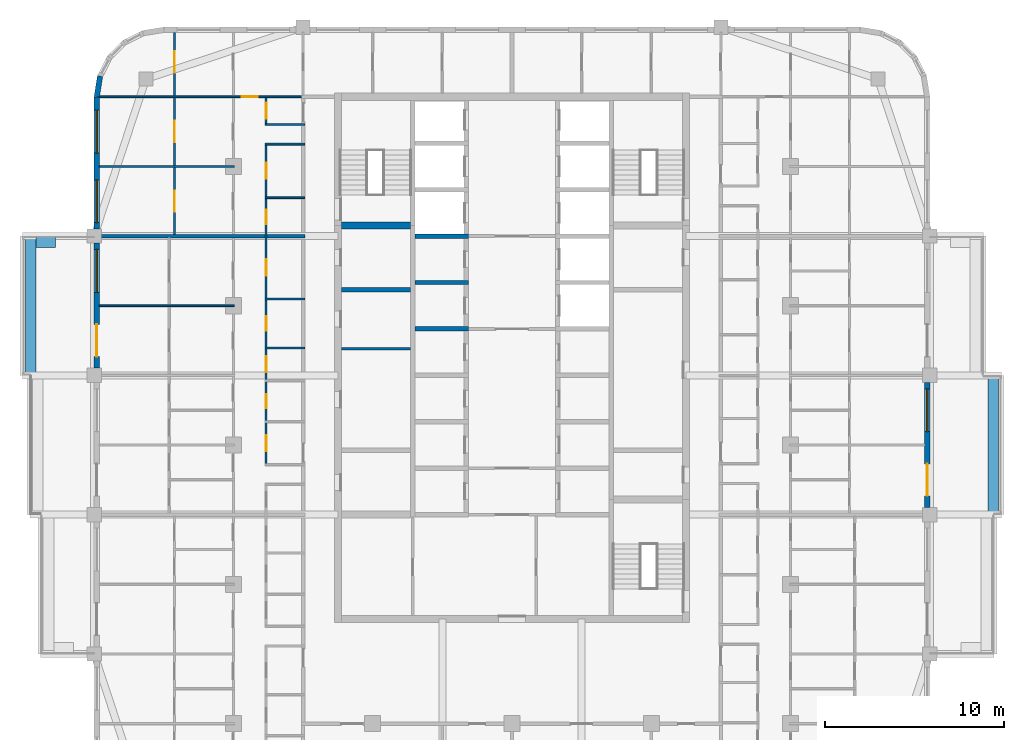
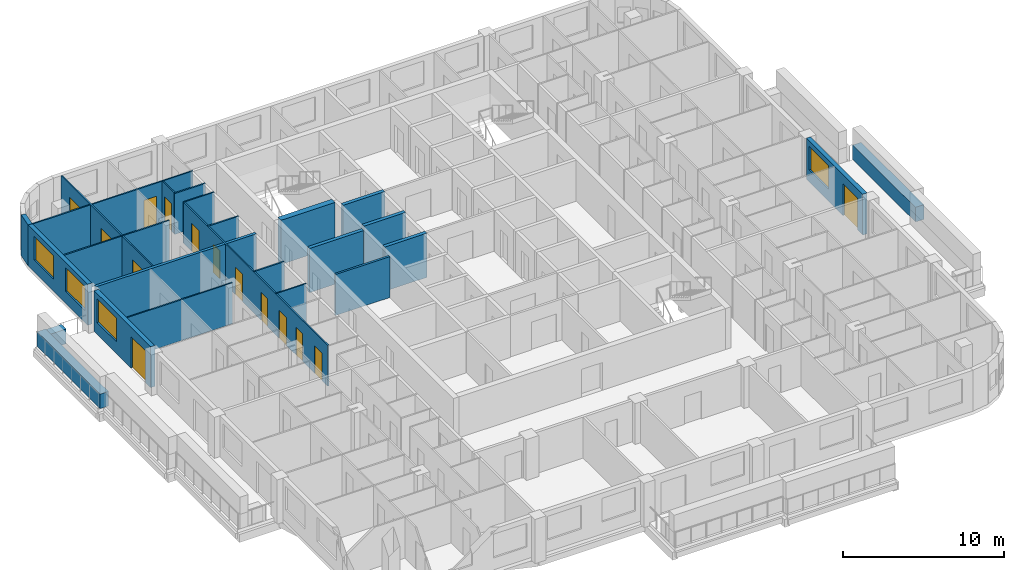
# One storey, part 8 of 16: 25 walls, 14 doors, 4 windows, 18 openings.
"""IFC4 building model written with IfcOpenShell, lengths in metres."""

from ifc_helpers import new_model, si_unit, direction, frame, frame_2d, origin, place, context, subcontext, project, spatial, rectangle, extrude, material, layer, layer_set, type_object, element, fill, save


model = new_model("IFC4")

# Units and contexts
model_context = context("Model", 3, precision=1e-05, world=origin(), true_north=direction((0.0, 1.0)))
body_context = subcontext(model_context, "Body", "Model", "MODEL_VIEW")
ifc_project = project(units=[si_unit("LENGTHUNIT", "METRE"), si_unit("AREAUNIT", "SQUARE_METRE"), si_unit("VOLUMEUNIT", "CUBIC_METRE"), si_unit("PLANEANGLEUNIT", "RADIAN"), si_unit("MASSUNIT", "GRAM", prefix="KILO")], contexts=[model_context])

# Site, building, storey
site_placement = place(None, origin())
site = spatial("IfcSite", under=ifc_project, at=site_placement, CompositionType="ELEMENT")
building_placement = place(site_placement, origin())
building = spatial("IfcBuilding", under=site, at=building_placement, Name="Ludao Terraces", CompositionType="ELEMENT")
storey_placement = place(building_placement, frame((0.0, 0.0, 238.10009765625)))
storey = spatial("IfcBuildingStorey", under=building, at=storey_placement, Name="L65", CompositionType="ELEMENT", Elevation=238.10009765625)

# Walls
ifc_material_1 = material(Name="Concrete C40", Category="concrete")
ifc_layer_1 = layer(ifc_material_1, 0.60009765625)
ifc_layer_set_1 = layer_set([ifc_layer_1], Name="ENV Planter trough 600")
wall_type_1 = type_object("IfcWallType", Name="ENV Planter trough 600", PredefinedType="USERDEFINED", material=ifc_layer_set_1)
wall_1_placement = place(storey_placement, frame((111.949951171875, 61.10009765625, 0.0), z_axis=(0.0, 0.0, 1.0), x_axis=(0.0, 1.0, 0.0)))
element("IfcWall", 1, at=wall_1_placement, inside=storey, type_object=wall_type_1, Name="PL-L65-E2", ObjectType="PLANTER", PredefinedType="USERDEFINED", context=body_context, shape_type="SweptSolid", body=[
    extrude(rectangle(XDim=7.7998046875, YDim=0.60009765625, at=frame_2d((3.89990234375, 0.0))), origin(), (0.0, 0.0, 1.0), 1.099853515625),
])
wall_2_placement = place(storey_placement, frame((58.050048828125, 68.89990234375, 0.0), z_axis=(0.0, 0.0, 1.0), x_axis=(0.0, 1.0, 0.0)))
element("IfcWall", 2, at=wall_2_placement, inside=storey, type_object=wall_type_1, Name="PL-L65-W3", ObjectType="PLANTER", PredefinedType="USERDEFINED", context=body_context, shape_type="SweptSolid", body=[
    extrude(rectangle(XDim=7.800048828125, YDim=0.60009765625, at=frame_2d((3.89990234375, 0.0))), origin(), (0.0, 0.0, 1.0), 1.099853515625),
])
wall_3_placement = place(storey_placement, frame((58.35009765625, 76.35009765625, 0.0), z_axis=(0.0, 0.0, 1.0), x_axis=(1.0, 0.0, 0.0)))
element("IfcWall", 3, at=wall_3_placement, inside=storey, type_object=wall_type_1, Name="PL-L65-W3-SB", ObjectType="PLANTER", PredefinedType="USERDEFINED", context=body_context, shape_type="SweptSolid", body=[
    extrude(rectangle(XDim=1.099853515625, YDim=0.60009765625, at=frame_2d((0.5498046875, 0.0))), origin(), (0.0, 0.0, 1.0), 1.099853515625),
])

# Wall, openings, door, window
ifc_material_2 = material(Name="Granite cladding", Category="masonry")
ifc_layer_2 = layer(ifc_material_2, 0.0400390625, Category="stone")
ifc_material_3 = material(Name="Mineral wool")
ifc_layer_3 = layer(ifc_material_3, 0.06005859375)
ifc_layer_4 = layer(ifc_material_1, 0.199951171875, Category="concrete")
ifc_layer_set_2 = layer_set([ifc_layer_2, ifc_layer_3, ifc_layer_4], Name="ENV Stone-clad wall 300")
wall_type_2 = type_object("IfcWallType", Name="ENV Stone-clad wall 300", PredefinedType="SOLIDWALL", material=ifc_layer_set_2)
wall_4_placement = place(storey_placement, frame((108.25, 61.5, 0.0), z_axis=(0.0, 0.0, 1.0), x_axis=(0.0, 1.0, 0.0)))
wall_4 = element("IfcWall", 4, at=wall_4_placement, inside=storey, type_object=wall_type_2, Name="EW-L65-E3", PredefinedType="SOLIDWALL", context=body_context, shape_type="SweptSolid", body=[
    extrude(rectangle(XDim=7.0, YDim=0.300048828125, at=frame_2d((3.5, 0.0))), origin(), (0.0, 0.0, 1.0), 3.099853515625),
])
opening_1_placement = place(wall_4_placement, frame((0.64990234375, 0.0, 0.0)))
opening_1 = element("IfcOpeningElement", 5, at=opening_1_placement, cuts=wall_4, Name="Opening BD", PredefinedType="OPENING", context=body_context, shape_type="SweptSolid", body=[
    extrude(rectangle(XDim=1.800048828125, YDim=2.39990234375, at=frame_2d((0.89990234375, 1.199951171875))), frame((0.0, 0.16015625, 0.0), z_axis=(0.0, -1.0, 0.0), x_axis=(1.0, 0.0, 0.0)), (0.0, 0.0, 1.0), 0.320068359375),
])
opening_2_placement = place(wall_4_placement, frame((4.25, 0.0, 0.89990234375)))
opening_2 = element("IfcOpeningElement", 6, at=opening_2_placement, cuts=wall_4, Name="Opening W1", PredefinedType="OPENING", context=body_context, shape_type="SweptSolid", body=[
    extrude(rectangle(XDim=2.39990234375, YDim=1.800048828125, at=frame_2d((1.199951171875, 0.89990234375))), frame((0.0, 0.16015625, 0.0), z_axis=(0.0, -1.0, 0.0), x_axis=(1.0, 0.0, 0.0)), (0.0, 0.0, 1.0), 0.320068359375),
])
ifc_material_4 = material(Name="Aluminium glazed door", Category="aluminium")
ifc_layer_5 = layer(ifc_material_4, 0.06005859375)
ifc_layer_set_3 = layer_set([ifc_layer_5], Name="ENV Balcony door BD 1800x2400")
door_type_1 = type_object("IfcDoorType", Name="ENV Balcony door BD 1800x2400", OperationType="DOUBLE_DOOR_SINGLE_SWING", PredefinedType="DOOR", material=ifc_layer_set_3)
door_1_placement = place(opening_1_placement, origin())
door_1 = element("IfcDoor", 7, at=door_1_placement, inside=storey, type_object=door_type_1, Name="BD-L65-E3-1", OperationType="DOUBLE_DOOR_SINGLE_SWING", OverallHeight=2.39990234375, OverallWidth=1.800048828125, PredefinedType="DOOR", context=body_context, shape_type="SweptSolid", body=[
    extrude(rectangle(XDim=1.800048828125, YDim=2.39990234375, at=frame_2d((0.89990234375, 1.199951171875))), frame((0.0, 0.02490234375, 0.0), z_axis=(0.0, -1.0, 0.0), x_axis=(1.0, 0.0, 0.0)), (0.0, 0.0, 1.0), 0.050048828125),
])
fill(opening_1, door_1)
ifc_material_5 = material(Name="Clear glass in aluminium frame", Category="aluminium")
ifc_layer_6 = layer(ifc_material_5, 0.06005859375)
ifc_layer_set_4 = layer_set([ifc_layer_6], Name="ENV Window W1 2400x1800")
window_type = type_object("IfcWindowType", Name="ENV Window W1 2400x1800", PartitioningType="DOUBLE_PANEL_VERTICAL", PredefinedType="WINDOW", material=ifc_layer_set_4)
window_1_placement = place(opening_2_placement, origin())
window_1 = element("IfcWindow", 8, at=window_1_placement, inside=storey, type_object=window_type, Name="W-L65-E3-2", OverallHeight=1.800048828125, OverallWidth=2.39990234375, PartitioningType="DOUBLE_PANEL_VERTICAL", PredefinedType="WINDOW", context=body_context, shape_type="SweptSolid", body=[
    extrude(rectangle(XDim=2.39990234375, YDim=1.800048828125, at=frame_2d((1.199951171875, 0.89990234375))), frame((0.0, 0.030029296875, 0.0), z_axis=(0.0, -1.0, 0.0), x_axis=(1.0, 0.0, 0.0)), (0.0, 0.0, 1.0), 0.06005859375),
])
fill(opening_2, window_1)

wall_5_placement = place(storey_placement, frame((61.75, 69.300048828125, 0.0), z_axis=(0.0, 0.0, 1.0), x_axis=(0.0, 1.0, 0.0)))
wall_5 = element("IfcWall", 9, at=wall_5_placement, inside=storey, type_object=wall_type_2, Name="EW-L65-W4", PredefinedType="SOLIDWALL", context=body_context, shape_type="SweptSolid", body=[
    extrude(rectangle(XDim=7.0, YDim=0.300048828125, at=frame_2d((3.5, 0.0))), origin(), (0.0, 0.0, 1.0), 3.099853515625),
])
opening_3_placement = place(wall_5_placement, frame((0.64990234375, 0.0, 0.0)))
opening_3 = element("IfcOpeningElement", 10, at=opening_3_placement, cuts=wall_5, Name="Opening BD", PredefinedType="OPENING", context=body_context, shape_type="SweptSolid", body=[
    extrude(rectangle(XDim=1.800048828125, YDim=2.39990234375, at=frame_2d((0.89990234375, 1.199951171875))), frame((0.0, 0.16015625, 0.0), z_axis=(0.0, -1.0, 0.0), x_axis=(1.0, 0.0, 0.0)), (0.0, 0.0, 1.0), 0.320068359375),
])
opening_4_placement = place(wall_5_placement, frame((4.25, 0.0, 0.89990234375)))
opening_4 = element("IfcOpeningElement", 11, at=opening_4_placement, cuts=wall_5, Name="Opening W1", PredefinedType="OPENING", context=body_context, shape_type="SweptSolid", body=[
    extrude(rectangle(XDim=2.39990234375, YDim=1.800048828125, at=frame_2d((1.199951171875, 0.89990234375))), frame((0.0, 0.16015625, 0.0), z_axis=(0.0, -1.0, 0.0), x_axis=(1.0, 0.0, 0.0)), (0.0, 0.0, 1.0), 0.320068359375),
])
door_2_placement = place(opening_3_placement, origin())
door_2 = element("IfcDoor", 12, at=door_2_placement, inside=storey, type_object=door_type_1, Name="BD-L65-W4-1", OperationType="DOUBLE_DOOR_SINGLE_SWING", OverallHeight=2.39990234375, OverallWidth=1.800048828125, PredefinedType="DOOR", context=body_context, shape_type="SweptSolid", body=[
    extrude(rectangle(XDim=1.800048828125, YDim=2.39990234375, at=frame_2d((0.89990234375, 1.199951171875))), frame((0.0, 0.02490234375, 0.0), z_axis=(0.0, -1.0, 0.0), x_axis=(1.0, 0.0, 0.0)), (0.0, 0.0, 1.0), 0.050048828125),
])
fill(opening_3, door_2)
window_2_placement = place(opening_4_placement, origin())
window_2 = element("IfcWindow", 13, at=window_2_placement, inside=storey, type_object=window_type, Name="W-L65-W4-2", OverallHeight=1.800048828125, OverallWidth=2.39990234375, PartitioningType="DOUBLE_PANEL_VERTICAL", PredefinedType="WINDOW", context=body_context, shape_type="SweptSolid", body=[
    extrude(rectangle(XDim=2.39990234375, YDim=1.800048828125, at=frame_2d((1.199951171875, 0.89990234375))), frame((0.0, 0.030029296875, 0.0), z_axis=(0.0, -1.0, 0.0), x_axis=(1.0, 0.0, 0.0)), (0.0, 0.0, 1.0), 0.06005859375),
])
fill(opening_4, window_2)

# Wall, openings, windows
wall_6_placement = place(storey_placement, frame((61.75, 77.10009765625, 0.0), z_axis=(0.0, 0.0, 1.0), x_axis=(0.0, 1.0, 0.0)))
wall_6 = element("IfcWall", 14, at=wall_6_placement, inside=storey, type_object=wall_type_2, Name="EW-L65-W5", PredefinedType="SOLIDWALL", context=body_context, shape_type="SweptSolid", body=[
    extrude(rectangle(XDim=7.39990234375, YDim=0.300048828125, at=frame_2d((3.699951171875, 0.0))), origin(), (0.0, 0.0, 1.0), 3.099853515625),
])
opening_5_placement = place(wall_6_placement, frame((0.35009765625, 0.0, 0.89990234375)))
opening_5 = element("IfcOpeningElement", 15, at=opening_5_placement, cuts=wall_6, Name="Opening W1", PredefinedType="OPENING", context=body_context, shape_type="SweptSolid", body=[
    extrude(rectangle(XDim=2.39990234375, YDim=1.800048828125, at=frame_2d((1.199951171875, 0.89990234375))), frame((0.0, 0.16015625, 0.0), z_axis=(0.0, -1.0, 0.0), x_axis=(1.0, 0.0, 0.0)), (0.0, 0.0, 1.0), 0.320068359375),
])
opening_6_placement = place(wall_6_placement, frame((4.25, 0.0, 0.89990234375)))
opening_6 = element("IfcOpeningElement", 16, at=opening_6_placement, cuts=wall_6, Name="Opening W1", PredefinedType="OPENING", context=body_context, shape_type="SweptSolid", body=[
    extrude(rectangle(XDim=2.39990234375, YDim=1.800048828125, at=frame_2d((1.199951171875, 0.89990234375))), frame((0.0, 0.16015625, 0.0), z_axis=(0.0, -1.0, 0.0), x_axis=(1.0, 0.0, 0.0)), (0.0, 0.0, 1.0), 0.320068359375),
])
window_3_placement = place(opening_5_placement, origin())
window_3 = element("IfcWindow", 17, at=window_3_placement, inside=storey, type_object=window_type, Name="W-L65-W5-1", OverallHeight=1.800048828125, OverallWidth=2.39990234375, PartitioningType="DOUBLE_PANEL_VERTICAL", PredefinedType="WINDOW", context=body_context, shape_type="SweptSolid", body=[
    extrude(rectangle(XDim=2.39990234375, YDim=1.800048828125, at=frame_2d((1.199951171875, 0.89990234375))), frame((0.0, 0.030029296875, 0.0), z_axis=(0.0, -1.0, 0.0), x_axis=(1.0, 0.0, 0.0)), (0.0, 0.0, 1.0), 0.06005859375),
])
fill(opening_5, window_3)
window_4_placement = place(opening_6_placement, origin())
window_4 = element("IfcWindow", 18, at=window_4_placement, inside=storey, type_object=window_type, Name="W-L65-W5-2", OverallHeight=1.800048828125, OverallWidth=2.39990234375, PartitioningType="DOUBLE_PANEL_VERTICAL", PredefinedType="WINDOW", context=body_context, shape_type="SweptSolid", body=[
    extrude(rectangle(XDim=2.39990234375, YDim=1.800048828125, at=frame_2d((1.199951171875, 0.89990234375))), frame((0.0, 0.030029296875, 0.0), z_axis=(0.0, -1.0, 0.0), x_axis=(1.0, 0.0, 0.0)), (0.0, 0.0, 1.0), 0.06005859375),
])
fill(opening_6, window_4)

# Walls
wall_7_placement = place(storey_placement, frame((61.93359375, 85.65869140625, 0.0), z_axis=(0.0, 0.0, 1.0), x_axis=(-0.156496880861, -0.987678452879, 0.0)))
element("IfcWall", 19, at=wall_7_placement, inside=storey, type_object=wall_type_2, Name="EW-L65-NW5", PredefinedType="SOLIDWALL", context=body_context, shape_type="SweptSolid", body=[
    extrude(rectangle(XDim=1.173095703125, YDim=0.300048828125, at=frame_2d((0.58642578125, 0.0))), origin(), (0.0, 0.0, 1.0), 3.099853515625),
])
ifc_material_6 = material(Name="Fire-rated gypsum plasterboard", Category="gypsum")
ifc_layer_7 = layer(ifc_material_6, 0.012451171875, Category="gypsum")
ifc_layer_8 = layer(ifc_material_3, 0.10009765625, Name="insulation")
ifc_material_7 = material(Name="Steel Q235", Category="steel")
ifc_layer_9 = layer(ifc_material_7, 0.02490234375, Name="stud")
ifc_layer_10 = layer(ifc_material_6, 0.012451171875, Category="gypsum")
ifc_layer_set_5 = layer_set([ifc_layer_7, ifc_layer_8, ifc_layer_9, ifc_layer_10], Name="INT Core partition 150")
wall_type_3 = type_object("IfcWallType", Name="INT Core partition 150", PredefinedType="PARTITIONING", material=ifc_layer_set_5)
wall_8_placement = place(storey_placement, frame((75.4501953125, 70.39990234375, 0.0), z_axis=(0.0, 0.0, 1.0), x_axis=(1.0, 0.0, 0.0)))
element("IfcWall", 20, at=wall_8_placement, inside=storey, type_object=wall_type_3, Name="PW-L65-PW047", PredefinedType="PARTITIONING", context=body_context, shape_type="SweptSolid", body=[
    extrude(rectangle(XDim=3.875, YDim=0.14990234375, at=frame_2d((1.9375, 0.0))), origin(), (0.0, 0.0, 1.0), 3.099853515625),
])
ifc_material_8 = material(Name="Gypsum plasterboard", Category="gypsum")
ifc_layer_11 = layer(ifc_material_8, 0.012451171875, Category="gypsum")
ifc_layer_12 = layer(ifc_material_3, 0.06005859375, Name="insulation")
ifc_layer_13 = layer(ifc_material_7, 0.014892578125, Name="stud")
ifc_layer_14 = layer(ifc_material_8, 0.012451171875, Category="gypsum")
ifc_layer_set_6 = layer_set([ifc_layer_11, ifc_layer_12, ifc_layer_13, ifc_layer_14], Name="INT Partition 100")
wall_type_4 = type_object("IfcWallType", Name="INT Partition 100", PredefinedType="PARTITIONING", material=ifc_layer_set_6)
wall_9_placement = place(storey_placement, frame((71.18017578125, 70.429931640625, 0.0), z_axis=(0.0, 0.0, 1.0), x_axis=(1.0, 0.0, 0.0)))
element("IfcWall", 21, at=wall_9_placement, inside=storey, type_object=wall_type_4, Name="PW-L65-PW048", PredefinedType="PARTITIONING", context=body_context, shape_type="SweptSolid", body=[
    extrude(rectangle(XDim=2.219970703125, YDim=0.10009765625, at=frame_2d((1.10986328125, 0.0))), origin(), (0.0, 0.0, 1.0), 3.099853515625),
])
wall_10_placement = place(storey_placement, frame((61.900146484375, 72.800048828125, 0.0), z_axis=(0.0, 0.0, 1.0), x_axis=(1.0, 0.0, 0.0)))
element("IfcWall", 22, at=wall_10_placement, inside=storey, type_object=wall_type_4, Name="PW-L65-PW051", PredefinedType="PARTITIONING", context=body_context, shape_type="SweptSolid", body=[
    extrude(rectangle(XDim=7.550048828125, YDim=0.10009765625, at=frame_2d((3.77490234375, 0.0))), origin(), (0.0, 0.0, 1.0), 3.099853515625),
])
for number, where, z_axis, x_axis, name in (
    (23, (71.18017578125, 73.179931640625, 0.0), (0.0, 0.0, 1.0), (1.0, 0.0, 0.0), "PW-L65-PW053"),
    (24, (71.18017578125, 78.85009765625, 0.0), (0.0, 0.0, 1.0), (1.0, 0.0, 0.0), "PW-L65-PW060"),
):
    element("IfcWall", number, at=place(storey_placement, frame(where, z_axis=z_axis, x_axis=x_axis)), inside=storey, type_object=wall_type_4, Name=name, PredefinedType="PARTITIONING", context=body_context, shape_type="SweptSolid", body=[
        extrude(rectangle(XDim=2.219970703125, YDim=0.10009765625, at=frame_2d((1.10986328125, 0.0))), origin(), (0.0, 0.0, 1.0), 3.099853515625),
    ])
wall_11_placement = place(storey_placement, frame((61.900146484375, 80.60009765625, 0.0), z_axis=(0.0, 0.0, 1.0), x_axis=(1.0, 0.0, 0.0)))
element("IfcWall", 25, at=wall_11_placement, inside=storey, type_object=wall_type_4, Name="PW-L65-PW062", PredefinedType="PARTITIONING", context=body_context, shape_type="SweptSolid", body=[
    extrude(rectangle(XDim=7.550048828125, YDim=0.10009765625, at=frame_2d((3.77490234375, 0.0))), origin(), (0.0, 0.0, 1.0), 3.099853515625),
])
for number, where, z_axis, x_axis, name in (
    (26, (71.18017578125, 81.85009765625, 0.0), (0.0, 0.0, 1.0), (1.0, 0.0, 0.0), "PW-L65-PW064"),
    (27, (71.18017578125, 82.949951171875, 0.0), (0.0, 0.0, 1.0), (1.0, 0.0, 0.0), "PW-L65-PW066"),
):
    element("IfcWall", number, at=place(storey_placement, frame(where, z_axis=z_axis, x_axis=x_axis)), inside=storey, type_object=wall_type_4, Name=name, PredefinedType="PARTITIONING", context=body_context, shape_type="SweptSolid", body=[
        extrude(rectangle(XDim=2.219970703125, YDim=0.10009765625, at=frame_2d((1.10986328125, 0.0))), origin(), (0.0, 0.0, 1.0), 3.099853515625),
    ])

# Wall, opening, door
wall_12_placement = place(storey_placement, frame((61.900146484375, 84.5, 0.0), z_axis=(0.0, 0.0, 1.0), x_axis=(1.0, 0.0, 0.0)))
wall_12 = element("IfcWall", 28, at=wall_12_placement, inside=storey, type_object=wall_type_4, Name="PW-L65-PW067", PredefinedType="PARTITIONING", context=body_context, shape_type="SweptSolid", body=[
    extrude(rectangle(XDim=11.5, YDim=0.10009765625, at=frame_2d((5.75, 0.0))), origin(), (0.0, 0.0, 1.0), 3.099853515625),
])
opening_7_placement = place(wall_12_placement, frame((7.965087890625, 0.0, 0.0)))
opening_7 = element("IfcOpeningElement", 29, at=opening_7_placement, cuts=wall_12, Name="Opening R23-133", PredefinedType="OPENING", context=body_context, shape_type="SweptSolid", body=[
    extrude(rectangle(XDim=0.89990234375, YDim=2.10009765625, at=frame_2d((0.449951171875, 1.050048828125))), frame((0.0, 0.06005859375, 0.0), z_axis=(0.0, -1.0, 0.0), x_axis=(1.0, 0.0, 0.0)), (0.0, 0.0, 1.0), 0.1201171875),
])
ifc_material_9 = material(Name="Timber door leaf", Category="wood")
door_type_2 = type_object("IfcDoorType", Name="INT Room door 900", OperationType="SINGLE_SWING_LEFT", PredefinedType="DOOR", material=ifc_material_9)
door_3_placement = place(opening_7_placement, origin())
door_3 = element("IfcDoor", 30, at=door_3_placement, inside=storey, type_object=door_type_2, Name="DOOR 133", OperationType="SINGLE_SWING_RIGHT", OverallHeight=2.10009765625, OverallWidth=0.89990234375, PredefinedType="DOOR", context=body_context, shape_type="SweptSolid", body=[
    extrude(rectangle(XDim=0.89990234375, YDim=2.10009765625, at=frame_2d((0.449951171875, 1.050048828125))), frame((0.0, 0.02490234375, 0.0), z_axis=(0.0, -1.0, 0.0), x_axis=(1.0, 0.0, 0.0)), (0.0, 0.0, 1.0), 0.050048828125),
])
fill(opening_7, door_3)

# Wall, openings, doors
wall_13_placement = place(storey_placement, frame((66.10009765625, 76.800048828125, 0.0), z_axis=(0.0, 0.0, 1.0), x_axis=(0.0, 1.0, 0.0)))
wall_13 = element("IfcWall", 31, at=wall_13_placement, inside=storey, type_object=wall_type_4, Name="PW-L65-PW073", PredefinedType="PARTITIONING", context=body_context, shape_type="SweptSolid", body=[
    extrude(rectangle(XDim=11.300048828125, YDim=0.10009765625, at=frame_2d((5.64990234375, 0.0))), origin(), (0.0, 0.0, 1.0), 3.099853515625),
])
opening_8_placement = place(wall_13_placement, frame((1.25, 0.0, 0.0)))
opening_8 = element("IfcOpeningElement", 32, at=opening_8_placement, cuts=wall_13, Name="Opening R23-115", PredefinedType="OPENING", context=body_context, shape_type="SweptSolid", body=[
    extrude(rectangle(XDim=1.199951171875, YDim=2.10009765625, at=frame_2d((0.60009765625, 1.050048828125))), frame((0.0, 0.06005859375, 0.0), z_axis=(0.0, -1.0, 0.0), x_axis=(1.0, 0.0, 0.0)), (0.0, 0.0, 1.0), 0.1201171875),
])
opening_9_placement = place(wall_13_placement, frame((5.14990234375, 0.0, 0.0)))
opening_9 = element("IfcOpeningElement", 33, at=opening_9_placement, cuts=wall_13, Name="Opening R23-124", PredefinedType="OPENING", context=body_context, shape_type="SweptSolid", body=[
    extrude(rectangle(XDim=1.199951171875, YDim=2.10009765625, at=frame_2d((0.60009765625, 1.050048828125))), frame((0.0, 0.06005859375, 0.0), z_axis=(0.0, -1.0, 0.0), x_axis=(1.0, 0.0, 0.0)), (0.0, 0.0, 1.0), 0.1201171875),
])
opening_10_placement = place(wall_13_placement, frame((9.050048828125, 0.0, 0.0)))
opening_10 = element("IfcOpeningElement", 34, at=opening_10_placement, cuts=wall_13, Name="Opening R23-135", PredefinedType="OPENING", context=body_context, shape_type="SweptSolid", body=[
    extrude(rectangle(XDim=1.199951171875, YDim=2.10009765625, at=frame_2d((0.60009765625, 1.050048828125))), frame((0.0, 0.06005859375, 0.0), z_axis=(0.0, -1.0, 0.0), x_axis=(1.0, 0.0, 0.0)), (0.0, 0.0, 1.0), 0.1201171875),
])
door_type_3 = type_object("IfcDoorType", Name="INT Double door 1200", OperationType="DOUBLE_DOOR_SINGLE_SWING", PredefinedType="DOOR", material=ifc_material_9)
door_4_placement = place(opening_8_placement, origin())
door_4 = element("IfcDoor", 35, at=door_4_placement, inside=storey, type_object=door_type_3, Name="DOOR 115", OperationType="DOUBLE_DOOR_SINGLE_SWING", OverallHeight=2.10009765625, OverallWidth=1.199951171875, PredefinedType="DOOR", context=body_context, shape_type="SweptSolid", body=[
    extrude(rectangle(XDim=1.199951171875, YDim=2.10009765625, at=frame_2d((0.60009765625, 1.050048828125))), frame((0.0, 0.02490234375, 0.0), z_axis=(0.0, -1.0, 0.0), x_axis=(1.0, 0.0, 0.0)), (0.0, 0.0, 1.0), 0.050048828125),
])
fill(opening_8, door_4)
door_5_placement = place(opening_9_placement, origin())
door_5 = element("IfcDoor", 36, at=door_5_placement, inside=storey, type_object=door_type_3, Name="DOOR 124", OperationType="DOUBLE_DOOR_SINGLE_SWING", OverallHeight=2.10009765625, OverallWidth=1.199951171875, PredefinedType="DOOR", context=body_context, shape_type="SweptSolid", body=[
    extrude(rectangle(XDim=1.199951171875, YDim=2.10009765625, at=frame_2d((0.60009765625, 1.050048828125))), frame((0.0, 0.02490234375, 0.0), z_axis=(0.0, -1.0, 0.0), x_axis=(1.0, 0.0, 0.0)), (0.0, 0.0, 1.0), 0.050048828125),
])
fill(opening_9, door_5)
door_6_placement = place(opening_10_placement, origin())
door_6 = element("IfcDoor", 37, at=door_6_placement, inside=storey, type_object=door_type_3, Name="DOOR 135", OperationType="DOUBLE_DOOR_SINGLE_SWING", OverallHeight=2.10009765625, OverallWidth=1.199951171875, PredefinedType="DOOR", context=body_context, shape_type="SweptSolid", body=[
    extrude(rectangle(XDim=1.199951171875, YDim=2.10009765625, at=frame_2d((0.60009765625, 1.050048828125))), frame((0.0, 0.02490234375, 0.0), z_axis=(0.0, -1.0, 0.0), x_axis=(1.0, 0.0, 0.0)), (0.0, 0.0, 1.0), 0.050048828125),
])
fill(opening_10, door_6)

wall_14_placement = place(storey_placement, frame((71.22998046875, 63.9501953125, 0.0), z_axis=(0.0, 0.0, 1.0), x_axis=(0.0, 1.0, 0.0)))
wall_14 = element("IfcWall", 38, at=wall_14_placement, inside=storey, type_object=wall_type_4, Name="PW-L65-PW077", PredefinedType="PARTITIONING", context=body_context, shape_type="SweptSolid", body=[
    extrude(rectangle(XDim=17.849853515625, YDim=0.10009765625, at=frame_2d((8.9248046875, 0.0))), origin(), (0.0, 0.0, 1.0), 3.099853515625),
])
opening_11_placement = place(wall_14_placement, frame((0.699951171875, 0.0, 0.0)))
opening_11 = element("IfcOpeningElement", 39, at=opening_11_placement, cuts=wall_14, Name="Opening R23-069", PredefinedType="OPENING", context=body_context, shape_type="SweptSolid", body=[
    extrude(rectangle(XDim=0.89990234375, YDim=2.10009765625, at=frame_2d((0.449951171875, 1.050048828125))), frame((0.0, 0.06005859375, 0.0), z_axis=(0.0, -1.0, 0.0), x_axis=(1.0, 0.0, 0.0)), (0.0, 0.0, 1.0), 0.1201171875),
])
opening_12_placement = place(wall_14_placement, frame((3.099853515625, 0.0, 0.0)))
opening_12 = element("IfcOpeningElement", 40, at=opening_12_placement, cuts=wall_14, Name="Opening R23-073", PredefinedType="OPENING", context=body_context, shape_type="SweptSolid", body=[
    extrude(rectangle(XDim=0.800048828125, YDim=2.10009765625, at=frame_2d((0.39990234375, 1.050048828125))), frame((0.0, 0.06005859375, 0.0), z_axis=(0.0, -1.0, 0.0), x_axis=(1.0, 0.0, 0.0)), (0.0, 0.0, 1.0), 0.1201171875),
])
opening_13_placement = place(wall_14_placement, frame((5.114990234375, 0.0, 0.0)))
opening_13 = element("IfcOpeningElement", 41, at=opening_13_placement, cuts=wall_14, Name="Opening R23-083", PredefinedType="OPENING", context=body_context, shape_type="SweptSolid", body=[
    extrude(rectangle(XDim=0.89990234375, YDim=2.10009765625, at=frame_2d((0.449951171875, 1.050048828125))), frame((0.0, 0.06005859375, 0.0), z_axis=(0.0, -1.0, 0.0), x_axis=(1.0, 0.0, 0.0)), (0.0, 0.0, 1.0), 0.1201171875),
])
opening_14_placement = place(wall_14_placement, frame((7.454833984375, 0.0, 0.0)))
opening_14 = element("IfcOpeningElement", 42, at=opening_14_placement, cuts=wall_14, Name="Opening R23-092", PredefinedType="OPENING", context=body_context, shape_type="SweptSolid", body=[
    extrude(rectangle(XDim=0.800048828125, YDim=2.10009765625, at=frame_2d((0.39990234375, 1.050048828125))), frame((0.0, 0.06005859375, 0.0), z_axis=(0.0, -1.0, 0.0), x_axis=(1.0, 0.0, 0.0)), (0.0, 0.0, 1.0), 0.1201171875),
])
opening_15_placement = place(wall_14_placement, frame((10.539794921875, 0.0, 0.0)))
opening_15 = element("IfcOpeningElement", 43, at=opening_15_placement, cuts=wall_14, Name="Opening R23-100", PredefinedType="OPENING", context=body_context, shape_type="SweptSolid", body=[
    extrude(rectangle(XDim=0.89990234375, YDim=2.10009765625, at=frame_2d((0.449951171875, 1.050048828125))), frame((0.0, 0.06005859375, 0.0), z_axis=(0.0, -1.0, 0.0), x_axis=(1.0, 0.0, 0.0)), (0.0, 0.0, 1.0), 0.1201171875),
])
opening_16_placement = place(wall_14_placement, frame((13.4248046875, 0.0, 0.0)))
opening_16 = element("IfcOpeningElement", 44, at=opening_16_placement, cuts=wall_14, Name="Opening R23-110", PredefinedType="OPENING", context=body_context, shape_type="SweptSolid", body=[
    extrude(rectangle(XDim=0.800048828125, YDim=2.10009765625, at=frame_2d((0.39990234375, 1.050048828125))), frame((0.0, 0.06005859375, 0.0), z_axis=(0.0, -1.0, 0.0), x_axis=(1.0, 0.0, 0.0)), (0.0, 0.0, 1.0), 0.1201171875),
])
opening_17_placement = place(wall_14_placement, frame((15.949951171875, 0.0, 0.0)))
opening_17 = element("IfcOpeningElement", 45, at=opening_17_placement, cuts=wall_14, Name="Opening R23-120", PredefinedType="OPENING", context=body_context, shape_type="SweptSolid", body=[
    extrude(rectangle(XDim=0.89990234375, YDim=2.10009765625, at=frame_2d((0.449951171875, 1.050048828125))), frame((0.0, 0.06005859375, 0.0), z_axis=(0.0, -1.0, 0.0), x_axis=(1.0, 0.0, 0.0)), (0.0, 0.0, 1.0), 0.1201171875),
])
door_type_4 = type_object("IfcDoorType", Name="INT Bathroom door 900", OperationType="SINGLE_SWING_LEFT", PredefinedType="DOOR", material=ifc_material_9)
door_7_placement = place(opening_11_placement, origin())
door_7 = element("IfcDoor", 46, at=door_7_placement, inside=storey, type_object=door_type_4, Name="DOOR 069", OperationType="SINGLE_SWING_RIGHT", OverallHeight=2.10009765625, OverallWidth=0.89990234375, PredefinedType="DOOR", context=body_context, shape_type="SweptSolid", body=[
    extrude(rectangle(XDim=0.89990234375, YDim=2.10009765625, at=frame_2d((0.449951171875, 1.050048828125))), frame((0.0, 0.02490234375, 0.0), z_axis=(0.0, -1.0, 0.0), x_axis=(1.0, 0.0, 0.0)), (0.0, 0.0, 1.0), 0.050048828125),
])
fill(opening_11, door_7)
door_8_placement = place(opening_13_placement, origin())
door_8 = element("IfcDoor", 47, at=door_8_placement, inside=storey, type_object=door_type_4, Name="DOOR 083", OperationType="SINGLE_SWING_RIGHT", OverallHeight=2.10009765625, OverallWidth=0.89990234375, PredefinedType="DOOR", context=body_context, shape_type="SweptSolid", body=[
    extrude(rectangle(XDim=0.89990234375, YDim=2.10009765625, at=frame_2d((0.449951171875, 1.050048828125))), frame((0.0, 0.02490234375, 0.0), z_axis=(0.0, -1.0, 0.0), x_axis=(1.0, 0.0, 0.0)), (0.0, 0.0, 1.0), 0.050048828125),
])
fill(opening_13, door_8)
door_9_placement = place(opening_15_placement, origin())
door_9 = element("IfcDoor", 48, at=door_9_placement, inside=storey, type_object=door_type_2, Name="DOOR 100", OperationType="SINGLE_SWING_LEFT", OverallHeight=2.10009765625, OverallWidth=0.89990234375, PredefinedType="DOOR", context=body_context, shape_type="SweptSolid", body=[
    extrude(rectangle(XDim=0.89990234375, YDim=2.10009765625, at=frame_2d((0.449951171875, 1.050048828125))), frame((0.0, 0.02490234375, 0.0), z_axis=(0.0, -1.0, 0.0), x_axis=(1.0, 0.0, 0.0)), (0.0, 0.0, 1.0), 0.050048828125),
])
fill(opening_15, door_9)
door_10_placement = place(opening_17_placement, origin())
door_10 = element("IfcDoor", 49, at=door_10_placement, inside=storey, type_object=door_type_2, Name="DOOR 120", OperationType="SINGLE_SWING_RIGHT", OverallHeight=2.10009765625, OverallWidth=0.89990234375, PredefinedType="DOOR", context=body_context, shape_type="SweptSolid", body=[
    extrude(rectangle(XDim=0.89990234375, YDim=2.10009765625, at=frame_2d((0.449951171875, 1.050048828125))), frame((0.0, 0.02490234375, 0.0), z_axis=(0.0, -1.0, 0.0), x_axis=(1.0, 0.0, 0.0)), (0.0, 0.0, 1.0), 0.050048828125),
])
fill(opening_17, door_10)
door_type_5 = type_object("IfcDoorType", Name="INT Store door 800", OperationType="SINGLE_SWING_LEFT", PredefinedType="DOOR", material=ifc_material_9)
door_11_placement = place(opening_12_placement, origin())
door_11 = element("IfcDoor", 50, at=door_11_placement, inside=storey, type_object=door_type_5, Name="DOOR 073", OperationType="SINGLE_SWING_RIGHT", OverallHeight=2.10009765625, OverallWidth=0.800048828125, PredefinedType="DOOR", context=body_context, shape_type="SweptSolid", body=[
    extrude(rectangle(XDim=0.800048828125, YDim=2.10009765625, at=frame_2d((0.39990234375, 1.050048828125))), frame((0.0, 0.02490234375, 0.0), z_axis=(0.0, -1.0, 0.0), x_axis=(1.0, 0.0, 0.0)), (0.0, 0.0, 1.0), 0.050048828125),
])
fill(opening_12, door_11)
door_12_placement = place(opening_14_placement, origin())
door_12 = element("IfcDoor", 51, at=door_12_placement, inside=storey, type_object=door_type_5, Name="DOOR 092", OperationType="SINGLE_SWING_LEFT", OverallHeight=2.10009765625, OverallWidth=0.800048828125, PredefinedType="DOOR", context=body_context, shape_type="SweptSolid", body=[
    extrude(rectangle(XDim=0.800048828125, YDim=2.10009765625, at=frame_2d((0.39990234375, 1.050048828125))), frame((0.0, 0.02490234375, 0.0), z_axis=(0.0, -1.0, 0.0), x_axis=(1.0, 0.0, 0.0)), (0.0, 0.0, 1.0), 0.050048828125),
])
fill(opening_14, door_12)
door_13_placement = place(opening_16_placement, origin())
door_13 = element("IfcDoor", 52, at=door_13_placement, inside=storey, type_object=door_type_5, Name="DOOR 110", OperationType="SINGLE_SWING_RIGHT", OverallHeight=2.10009765625, OverallWidth=0.800048828125, PredefinedType="DOOR", context=body_context, shape_type="SweptSolid", body=[
    extrude(rectangle(XDim=0.800048828125, YDim=2.10009765625, at=frame_2d((0.39990234375, 1.050048828125))), frame((0.0, 0.02490234375, 0.0), z_axis=(0.0, -1.0, 0.0), x_axis=(1.0, 0.0, 0.0)), (0.0, 0.0, 1.0), 0.050048828125),
])
fill(opening_16, door_13)

# Wall, opening, door
wall_15_placement = place(storey_placement, frame((71.22998046875, 83.0, 0.0), z_axis=(0.0, 0.0, 1.0), x_axis=(0.0, 1.0, 0.0)))
wall_15 = element("IfcWall", 53, at=wall_15_placement, inside=storey, type_object=wall_type_4, Name="PW-L65-PW078", PredefinedType="PARTITIONING", context=body_context, shape_type="SweptSolid", body=[
    extrude(rectangle(XDim=1.4501953125, YDim=0.10009765625, at=frame_2d((0.72509765625, 0.0))), origin(), (0.0, 0.0, 1.0), 3.099853515625),
])
opening_18_placement = place(wall_15_placement, frame((0.275146484375, 0.0, 0.0)))
opening_18 = element("IfcOpeningElement", 54, at=opening_18_placement, cuts=wall_15, Name="Opening R23-132", PredefinedType="OPENING", context=body_context, shape_type="SweptSolid", body=[
    extrude(rectangle(XDim=0.89990234375, YDim=2.10009765625, at=frame_2d((0.449951171875, 1.050048828125))), frame((0.0, 0.06005859375, 0.0), z_axis=(0.0, -1.0, 0.0), x_axis=(1.0, 0.0, 0.0)), (0.0, 0.0, 1.0), 0.1201171875),
])
door_14_placement = place(opening_18_placement, origin())
door_14 = element("IfcDoor", 55, at=door_14_placement, inside=storey, type_object=door_type_4, Name="DOOR 132", OperationType="SINGLE_SWING_RIGHT", OverallHeight=2.10009765625, OverallWidth=0.89990234375, PredefinedType="DOOR", context=body_context, shape_type="SweptSolid", body=[
    extrude(rectangle(XDim=0.89990234375, YDim=2.10009765625, at=frame_2d((0.449951171875, 1.050048828125))), frame((0.0, 0.02490234375, 0.0), z_axis=(0.0, -1.0, 0.0), x_axis=(1.0, 0.0, 0.0)), (0.0, 0.0, 1.0), 0.050048828125),
])
fill(opening_18, door_14)

# Walls
ifc_material_10 = material(Name="Autoclaved aerated concrete block B06 A3.5", Category="concrete")
ifc_layer_15 = layer(ifc_material_10, 0.199951171875)
ifc_layer_set_7 = layer_set([ifc_layer_15], Name="INT Party wall 200")
wall_type_5 = type_object("IfcWallType", Name="INT Party wall 200", PredefinedType="PARTITIONING", material=ifc_layer_set_7)
wall_16_placement = place(storey_placement, frame((61.900146484375, 76.699951171875, 0.0), z_axis=(0.0, 0.0, 1.0), x_axis=(1.0, 0.0, 0.0)))
element("IfcWall", 56, at=wall_16_placement, inside=storey, type_object=wall_type_5, Name="PW-L65-PW056", PredefinedType="PARTITIONING", context=body_context, shape_type="SweptSolid", body=[
    extrude(rectangle(XDim=11.5, YDim=0.199951171875, at=frame_2d((5.75, 0.0))), origin(), (0.0, 0.0, 1.0), 3.099853515625),
])
ifc_material_11 = material(Name="Concrete C50", Category="concrete")
ifc_layer_16 = layer(ifc_material_11, 0.25)
ifc_layer_set_8 = layer_set([ifc_layer_16], Name="Shaft wall 250 C50")
wall_type_6 = type_object("IfcWallType", Name="Shaft wall 250 C50", PredefinedType="SOLIDWALL", material=ifc_layer_set_8)
for number, where, z_axis, x_axis, name in (
    (57, (79.574951171875, 71.5, -0.25), (0.0, 0.0, 1.0), (1.0, 0.0, 0.0), "Core wall L65 div-W5"),
    (58, (79.574951171875, 74.10009765625, -0.25), (0.0, 0.0, 1.0), (1.0, 0.0, 0.0), "Core wall L65 div-W6"),
    (59, (79.574951171875, 76.699951171875, -0.25), (0.0, 0.0, 1.0), (1.0, 0.0, 0.0), "Core wall L65 div-W7"),
):
    element("IfcWall", number, at=place(storey_placement, frame(where, z_axis=z_axis, x_axis=x_axis)), inside=storey, type_object=wall_type_6, Name=name, PredefinedType="SOLIDWALL", context=body_context, shape_type="SweptSolid", body=[
        extrude(rectangle(XDim=3.0, YDim=0.25, at=frame_2d((1.5, 0.0))), origin(), (0.0, 0.0, 1.0), 3.349853515625),
    ])
wall_17_placement = place(storey_placement, frame((75.449951171875, 73.699951171875, -0.25), z_axis=(0.0, 0.0, 1.0), x_axis=(1.0, 0.0, 0.0)))
element("IfcWall", 60, at=wall_17_placement, inside=storey, type_object=wall_type_6, Name="Core wall L65 riser-b-W", PredefinedType="SOLIDWALL", context=body_context, shape_type="SweptSolid", body=[
    extrude(rectangle(XDim=3.875, YDim=0.25, at=frame_2d((1.9375, 0.0))), origin(), (0.0, 0.0, 1.0), 3.349853515625),
])
ifc_layer_17 = layer(ifc_material_11, 0.39990234375)
ifc_layer_set_9 = layer_set([ifc_layer_17], Name="Shaft wall 400 C50")
wall_type_7 = type_object("IfcWallType", Name="Shaft wall 400 C50", PredefinedType="SOLIDWALL", material=ifc_layer_set_9)
wall_18_placement = place(storey_placement, frame((75.449951171875, 77.300048828125, -0.25), z_axis=(0.0, 0.0, 1.0), x_axis=(1.0, 0.0, 0.0)))
element("IfcWall", 61, at=wall_18_placement, inside=storey, type_object=wall_type_7, Name="Core wall L65 stair-W", PredefinedType="SOLIDWALL", context=body_context, shape_type="SweptSolid", body=[
    extrude(rectangle(XDim=3.875, YDim=0.39990234375, at=frame_2d((1.9375, 0.0))), origin(), (0.0, 0.0, 1.0), 3.349853515625),
])

save(model, "model.ifc")
